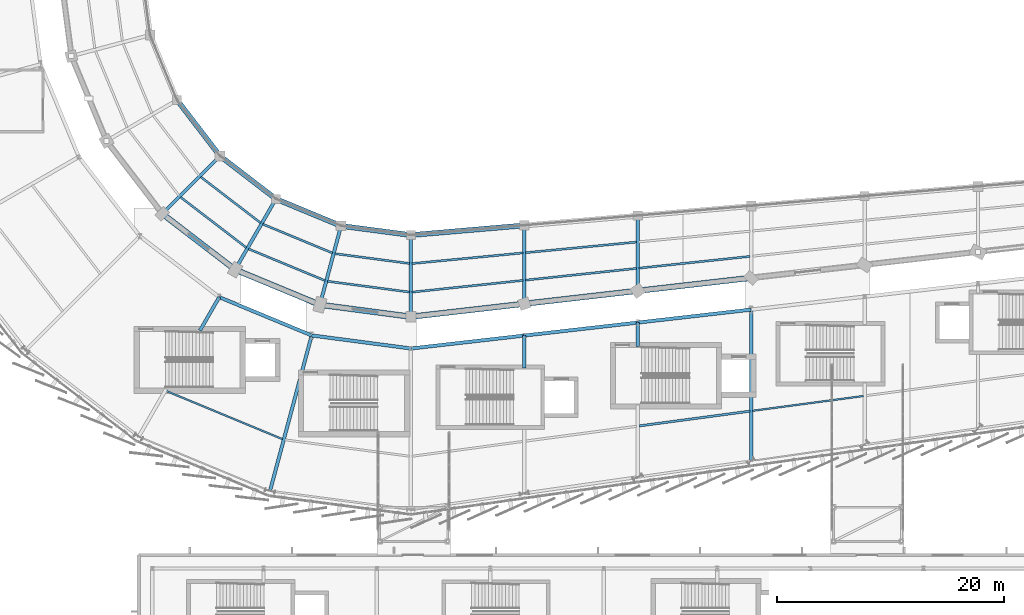
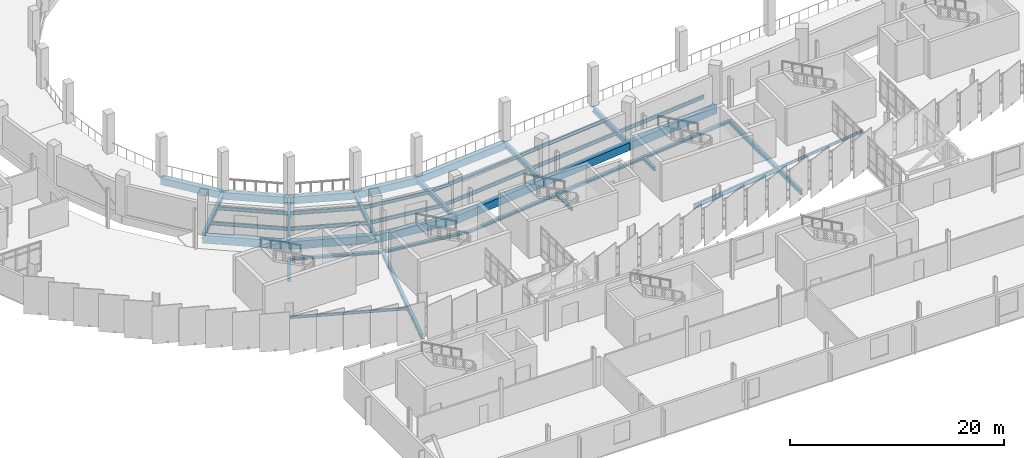
# One storey, part 43 of 125: 41 beams.
"""IFC4 building model written with IfcOpenShell, lengths in metres."""

import ifcopenshell
import ifcopenshell.guid

model = None  # the IFC model being written
_history = None  # IfcOwnerHistory: only IFC2X3 demands one
_inside = {}  # id of a spatial element -> (the spatial element, [elements in it])
_under = {}  # id of a project, library or spatial element -> (it, [spatial elements below it])
_declared = {}  # id of a project -> (the project, [libraries it declares])
_typed = {}  # id of a type object -> (the type object, [elements of that type])
_made_of = {}  # id of a material, layer set ... -> (it, [elements and type objects made of it])


def new_model(schema):
    """Start an empty IFC model of exactly this schema.

    Asked for "IFC4X3", IfcOpenShell would pick the latest addendum, in which some entities
    have other attributes; the version numbers below select the first issue.
    IFC2X3 requires an IfcOwnerHistory on every rooted entity: one is made here for all.
    """
    global model, _history
    if schema == "IFC4X3":
        model = ifcopenshell.file(schema_version=(4, 3, 0, 0))
    else:
        model = ifcopenshell.file(schema=schema)
    _inside.clear()
    _under.clear()
    _declared.clear()
    _typed.clear()
    _made_of.clear()
    _history = None
    if model.schema == "IFC2X3":
        org = make("IfcOrganization", Name="unknown")
        user = make(
            "IfcPersonAndOrganization",
            ThePerson=make("IfcPerson", FamilyName="unknown"),
            TheOrganization=org,
        )
        app = make(
            "IfcApplication",
            ApplicationDeveloper=org,
            Version="unknown",
            ApplicationFullName="unknown",
            ApplicationIdentifier="unknown",
        )
        _history = make(
            "IfcOwnerHistory",
            OwningUser=user,
            OwningApplication=app,
            ChangeAction="ADDED",
            CreationDate=0,
        )
    return model


def make(cls, **values):
    """One entity of the class cls with the attributes given. An attribute that is None is left unset."""
    return model.create_entity(
        cls, **{name: value for name, value in values.items() if value is not None}
    )


def rooted(cls, **values):
    """An entity with a GlobalId (a new one), such as an element, a storey or a relation."""
    return make(cls, GlobalId=ifcopenshell.guid.new(), OwnerHistory=_history, **values)


def si_unit(unit_type, name, prefix=None):
    """IfcSIUnit, for example si_unit("LENGTHUNIT", "METRE", prefix="MILLI")."""
    return make("IfcSIUnit", UnitType=unit_type, Prefix=prefix, Name=name)


def assignment(units):
    """IfcUnitAssignment: the units of a project."""
    return None if units is None else make("IfcUnitAssignment", Units=units)


def point(xyz):
    """IfcCartesianPoint."""
    return None if xyz is None else make("IfcCartesianPoint", Coordinates=xyz)


def direction(xyz):
    """IfcDirection."""
    return None if xyz is None else make("IfcDirection", DirectionRatios=xyz)


def frame(location, z_axis=None, x_axis=None):
    """IfcAxis2Placement3D, a coordinate frame: its origin and axes. An axis left out is left unset."""
    return make(
        "IfcAxis2Placement3D",
        Location=point(location),
        Axis=direction(z_axis),
        RefDirection=direction(x_axis),
    )


def frame_2d(location, x_axis=None):
    """IfcAxis2Placement2D, a coordinate frame in the plane: its origin and x axis."""
    return make(
        "IfcAxis2Placement2D", Location=point(location), RefDirection=direction(x_axis)
    )


def origin():
    """The frame at (0, 0, 0) with its axes left unset."""
    return frame((0.0, 0.0, 0.0))


def origin_2d():
    """The frame at (0, 0) in the plane with its x axis left unset."""
    return frame_2d((0.0, 0.0))


def place(relative_to, where):
    """IfcLocalPlacement: puts the frame where relative to a parent placement (None: the world)."""
    return make(
        "IfcLocalPlacement", PlacementRelTo=relative_to, RelativePlacement=where
    )


def context(
    kind, dimensions, precision=None, world=None, true_north=None, identifier=None
):
    """IfcGeometricRepresentationContext, for example the 3D "Model" context."""
    return make(
        "IfcGeometricRepresentationContext",
        ContextIdentifier=identifier,
        ContextType=kind,
        CoordinateSpaceDimension=dimensions,
        Precision=precision,
        WorldCoordinateSystem=world,
        TrueNorth=true_north,
    )


def subcontext(parent, identifier, kind, view, scale=None):
    """IfcGeometricRepresentationSubContext, for example "Body" below "Model"."""
    return make(
        "IfcGeometricRepresentationSubContext",
        ContextIdentifier=identifier,
        ContextType=kind,
        ParentContext=parent,
        TargetScale=scale,
        TargetView=view,
    )


def project(units=None, contexts=None):
    """IfcProject with its units and contexts."""
    return rooted(
        "IfcProject",
        Name="project",
        RepresentationContexts=contexts,
        UnitsInContext=assignment(units),
    )


def spatial(cls, under=None, at=None, **own):
    """A site, building, storey or space (cls), placed at a placement, below another one or the project."""
    s = rooted(cls, ObjectPlacement=at, **own)
    if under is not None:
        _under.setdefault(under.id(), (under, []))[1].append(s)
    return s


def profile(cls, at=None, kind="AREA", **sizes):
    """A parametric profile (cls). Its sizes go by their IFC names, for example OverallWidth=200.0."""
    return make(cls, ProfileType=kind, Position=at, **sizes)


def rectangle(**sizes):
    """IfcRectangleProfileDef."""
    return profile("IfcRectangleProfileDef", **sizes)


def i_section(**sizes):
    """IfcIShapeProfileDef."""
    return profile("IfcIShapeProfileDef", **sizes)


def extrude(swept, where, along, depth):
    """IfcExtrudedAreaSolid: the profile swept, set in the frame where, extruded along a direction by depth."""
    return make(
        "IfcExtrudedAreaSolid",
        SweptArea=swept,
        Position=where,
        ExtrudedDirection=direction(along),
        Depth=depth,
    )


def shape(context_of_items, identifier, shape_type, items):
    """IfcShapeRepresentation: the items that make up one representation, for example the "Body"."""
    return make(
        "IfcShapeRepresentation",
        ContextOfItems=context_of_items,
        RepresentationIdentifier=identifier,
        RepresentationType=shape_type,
        Items=items,
    )


def material(Name=None, Category=None):
    """IfcMaterial."""
    return make("IfcMaterial", Name=Name, Category=Category)


def material_profile(
    of_material, cross_section, Name=None, Category=None, Priority=None
):
    """IfcMaterialProfile: a cross section and its material."""
    return make(
        "IfcMaterialProfile",
        Name=Name,
        Material=of_material,
        Profile=cross_section,
        Priority=Priority,
        Category=Category,
    )


def profile_set(profiles, Name=None, composite=None):
    """IfcMaterialProfileSet."""
    return make(
        "IfcMaterialProfileSet",
        Name=Name,
        MaterialProfiles=profiles,
        CompositeProfile=composite,
    )


def made_of(thing, what):
    """Note that an element or type object is made of a material, layer set ...; save() writes the relation."""
    if what is not None:
        _made_of.setdefault(what.id(), (what, []))[1].append(thing)
    return thing


def type_object(cls, material=None, **own):
    """A type object (cls), such as IfcWallType, which elements share."""
    return made_of(rooted(cls, **own), material)


def element(
    cls,
    number,
    at=None,
    inside=None,
    cuts=None,
    type_object=None,
    material=None,
    context=None,
    identifier="Body",
    shape_type=None,
    held_by="IfcProductDefinitionShape",
    body=None,
    shapes=None,
    **own,
):
    """One element of the class cls, such as IfcWall. Its Tag is "e" and its number.

    at: its placement. inside: the storey or other place that contains it. cuts: it is an
    opening in that element (IfcRelVoidsElement). A single representation is given by context,
    identifier, shape_type and body (its items); several are given by shapes. held_by: the class
    of the entity that holds the representations. save() writes the other relations.
    """
    e = rooted(cls, Tag="e%d" % number, ObjectPlacement=at, **own)
    if body is not None:
        shapes = [shape(context, identifier, shape_type, body)]
    if shapes is not None:
        e.Representation = make(held_by, Representations=shapes)
    if inside is not None:
        _inside.setdefault(inside.id(), (inside, []))[1].append(e)
    if cuts is not None:
        rooted(
            "IfcRelVoidsElement", RelatingBuildingElement=cuts, RelatedOpeningElement=e
        )
    if type_object is not None:
        _typed.setdefault(type_object.id(), (type_object, []))[1].append(e)
    return made_of(e, material)


def aggregate(whole, parts):
    """IfcRelAggregates: a whole, such as a stair, and the parts it consists of."""
    return rooted("IfcRelAggregates", RelatingObject=whole, RelatedObjects=parts)


def save(model, path):
    """Write the relations noted so far, then the file.

    IfcRelAggregates (storeys below a building ...), IfcRelContainedInSpatialStructure (elements
    in a storey), IfcRelDefinesByType, IfcRelAssociatesMaterial and IfcRelDeclares: one each for
    every whole, place, type object, material and project.
    """
    for whole, parts in _under.values():
        aggregate(whole, parts)
    for where, things in _inside.values():
        rooted(
            "IfcRelContainedInSpatialStructure",
            RelatedElements=things,
            RelatingStructure=where,
        )
    for kind, things in _typed.values():
        rooted("IfcRelDefinesByType", RelatedObjects=things, RelatingType=kind)
    for what, things in _made_of.values():
        rooted("IfcRelAssociatesMaterial", RelatedObjects=things, RelatingMaterial=what)
    for by, libraries in _declared.values():
        rooted("IfcRelDeclares", RelatingContext=by, RelatedDefinitions=libraries)
    model.write(path)


model = new_model("IFC4")

# Units and contexts
model_context = context("Model", 3, precision=1e-05, world=origin(), true_north=direction((0.0, 1.0)))
body_context = subcontext(model_context, "Body", "Model", "MODEL_VIEW")
ifc_project = project(units=[si_unit("LENGTHUNIT", "METRE"), si_unit("AREAUNIT", "SQUARE_METRE"), si_unit("VOLUMEUNIT", "CUBIC_METRE"), si_unit("PLANEANGLEUNIT", "RADIAN"), si_unit("MASSUNIT", "GRAM", prefix="KILO")], contexts=[model_context])

# Site, building, storey
site_placement = place(None, origin())
site = spatial("IfcSite", under=ifc_project, at=site_placement, CompositionType="ELEMENT")
building_placement = place(site_placement, origin())
building = spatial("IfcBuilding", under=site, at=building_placement, Name="Sohan Crest Arena", CompositionType="ELEMENT")
storey_placement = place(building_placement, frame((0.0, 0.0, 9.0)))
storey = spatial("IfcBuildingStorey", under=building, at=storey_placement, Name="L02", CompositionType="ELEMENT", Elevation=9.0)

# Beams
ifc_material_1 = material(Name="Steel S355", Category="steel")
ifc_material_profile_1 = material_profile(ifc_material_1, i_section(OverallWidth=0.14990234375, OverallDepth=0.300048828125, WebThickness=0.007080078125, FlangeThickness=0.0107421875, at=origin_2d()), Name="IPE 300")
ifc_profile_set_1 = profile_set([ifc_material_profile_1], Name="Steel S355")
beam_type_1 = type_object("IfcBeamType", Name="STR-BM-B01", PredefinedType="JOIST", material=ifc_profile_set_1)
beam_1_placement = place(storey_placement, frame((76.445068359375, 40.447021484375, -0.39990234375), z_axis=(0.923874316241, -0.382696025312, 0.0), x_axis=(0.382696025312, 0.923874316241, 0.0)))
element("IfcBeam", 1, at=beam_1_placement, inside=storey, type_object=beam_type_1, Name="Structural beam J-L02-1288", PredefinedType="JOIST", context=body_context, shape_type="SweptSolid", body=[
    extrude(i_section(OverallWidth=0.14990234375, OverallDepth=0.300048828125, WebThickness=0.007080078125, FlangeThickness=0.0107421875, at=origin_2d()), origin(), (0.0, 0.0, 1.0), 11.0869140625),
])
beam_2_placement = place(storey_placement, frame((128.10888671875, 38.7041015625, -0.39990234375), z_axis=(0.991232437337, 0.132129690721, 0.0), x_axis=(-0.132129690721, 0.991232437337, 0.0)))
element("IfcBeam", 2, at=beam_2_placement, inside=storey, type_object=beam_type_1, Name="Structural beam J-L02-1310", PredefinedType="JOIST", context=body_context, shape_type="SweptSolid", body=[
    extrude(i_section(OverallWidth=0.14990234375, OverallDepth=0.300048828125, WebThickness=0.007080078125, FlangeThickness=0.0107421875, at=origin_2d()), origin(), (0.0, 0.0, 1.0), 9.86865234375),
])
ifc_material_profile_2 = material_profile(ifc_material_1, i_section(OverallWidth=0.179931640625, OverallDepth=0.39990234375, WebThickness=0.008544921875, FlangeThickness=0.013427734375, at=origin_2d()), Name="IPE 400")
ifc_profile_set_2 = profile_set([ifc_material_profile_2], Name="Steel S355")
beam_type_2 = type_object("IfcBeamType", Name="STR-BM-B03", PredefinedType="JOIST", material=ifc_profile_set_2)
beam_3_placement = place(storey_placement, frame((79.47607421875, 59.322021484375, -0.449951171875), z_axis=(0.793353438114, -0.608761301523, 0.0), x_axis=(0.608761301523, 0.793353438114, 0.0)))
element("IfcBeam", 3, at=beam_3_placement, inside=storey, type_object=beam_type_2, Name="Structural beam J-L02-0270", PredefinedType="JOIST", context=body_context, shape_type="SweptSolid", body=[
    extrude(i_section(OverallWidth=0.179931640625, OverallDepth=0.39990234375, WebThickness=0.008544921875, FlangeThickness=0.013427734375, at=origin_2d()), origin(), (0.0, 0.0, 1.0), 6.6513671875),
])
beam_4_placement = place(storey_placement, frame((77.694091796875, 57.5400390625, -0.449951171875), z_axis=(0.793394486436, -0.608707802556, 0.0), x_axis=(0.608707802556, 0.793394486436, 0.0)))
element("IfcBeam", 4, at=beam_4_placement, inside=storey, type_object=beam_type_2, Name="Structural beam J-L02-0271", PredefinedType="JOIST", context=body_context, shape_type="SweptSolid", body=[
    extrude(i_section(OverallWidth=0.179931640625, OverallDepth=0.39990234375, WebThickness=0.008544921875, FlangeThickness=0.013427734375, at=origin_2d()), origin(), (0.0, 0.0, 1.0), 7.308837890625),
])
beam_5_placement = place(storey_placement, frame((84.94189453125, 55.1640625, -0.449951171875), z_axis=(0.923867831396, -0.382711680136, 0.0), x_axis=(0.382711680136, 0.923867831396, 0.0)))
element("IfcBeam", 5, at=beam_5_placement, inside=storey, type_object=beam_type_2, Name="Structural beam J-L02-0292", PredefinedType="JOIST", context=body_context, shape_type="SweptSolid", body=[
    extrude(i_section(OverallWidth=0.179931640625, OverallDepth=0.39990234375, WebThickness=0.008544921875, FlangeThickness=0.013427734375, at=origin_2d()), origin(), (0.0, 0.0, 1.0), 6.650390625),
])
beam_6_placement = place(storey_placement, frame((83.681884765625, 52.98193359375, -0.449951171875), z_axis=(0.923831158032, -0.382800197818, 0.0), x_axis=(0.382800197818, 0.923831158032, 0.0)))
element("IfcBeam", 6, at=beam_6_placement, inside=storey, type_object=beam_type_2, Name="Structural beam J-L02-0293", PredefinedType="JOIST", context=body_context, shape_type="SweptSolid", body=[
    extrude(i_section(OverallWidth=0.179931640625, OverallDepth=0.39990234375, WebThickness=0.008544921875, FlangeThickness=0.013427734375, at=origin_2d()), origin(), (0.0, 0.0, 1.0), 7.308837890625),
])
beam_7_placement = place(storey_placement, frame((91.297119140625, 52.56298828125, -0.449951171875), z_axis=(0.99142966471, -0.130641570465, 0.0), x_axis=(0.130641570465, 0.99142966471, 0.0)))
element("IfcBeam", 7, at=beam_7_placement, inside=storey, type_object=beam_type_2, Name="Structural beam J-L02-0314", PredefinedType="JOIST", context=body_context, shape_type="SweptSolid", body=[
    extrude(i_section(OverallWidth=0.179931640625, OverallDepth=0.39990234375, WebThickness=0.008544921875, FlangeThickness=0.013427734375, at=origin_2d()), origin(), (0.0, 0.0, 1.0), 6.65087890625),
])
beam_8_placement = place(storey_placement, frame((90.64501953125, 50.1279296875, -0.449951171875), z_axis=(0.991446789819, -0.13051154339, 0.0), x_axis=(0.13051154339, 0.991446789819, 0.0)))
element("IfcBeam", 8, at=beam_8_placement, inside=storey, type_object=beam_type_2, Name="Structural beam J-L02-0315", PredefinedType="JOIST", context=body_context, shape_type="SweptSolid", body=[
    extrude(i_section(OverallWidth=0.179931640625, OverallDepth=0.39990234375, WebThickness=0.008544921875, FlangeThickness=0.013427734375, at=origin_2d()), origin(), (0.0, 0.0, 1.0), 7.30859375),
])
beam_9_placement = place(storey_placement, frame((98.10888671875, 51.68994140625, -0.449951171875), z_axis=(0.995443739336, 0.095350730547, 0.0), x_axis=(-0.095350730547, 0.995443739336, 0.0)))
element("IfcBeam", 9, at=beam_9_placement, inside=storey, type_object=beam_type_2, Name="Structural beam J-L02-0336", PredefinedType="JOIST", context=body_context, shape_type="SweptSolid", body=[
    extrude(i_section(OverallWidth=0.179931640625, OverallDepth=0.39990234375, WebThickness=0.008544921875, FlangeThickness=0.013427734375, at=origin_2d()), origin(), (0.0, 0.0, 1.0), 9.826904296875),
])
beam_10_placement = place(storey_placement, frame((98.10888671875, 49.172119140625, -0.449951171875), z_axis=(0.994470991784, 0.105011649352, 0.0), x_axis=(-0.105011649352, 0.994470991784, 0.0)))
element("IfcBeam", 10, at=beam_10_placement, inside=storey, type_object=beam_type_2, Name="Structural beam J-L02-0337", PredefinedType="JOIST", context=body_context, shape_type="SweptSolid", body=[
    extrude(i_section(OverallWidth=0.179931640625, OverallDepth=0.39990234375, WebThickness=0.008544921875, FlangeThickness=0.013427734375, at=origin_2d()), origin(), (0.0, 0.0, 1.0), 9.836669921875),
])
beam_11_placement = place(storey_placement, frame((108.10888671875, 52.64697265625, -0.449951171875), z_axis=(0.995443739336, 0.095350730547, 0.0), x_axis=(-0.095350730547, 0.995443739336, 0.0)))
element("IfcBeam", 11, at=beam_11_placement, inside=storey, type_object=beam_type_2, Name="Structural beam J-L02-0358", PredefinedType="JOIST", context=body_context, shape_type="SweptSolid", body=[
    extrude(i_section(OverallWidth=0.179931640625, OverallDepth=0.39990234375, WebThickness=0.008544921875, FlangeThickness=0.013427734375, at=origin_2d()), origin(), (0.0, 0.0, 1.0), 9.826904296875),
])
for number, where, z_axis, x_axis, name in (
    (12, (108.10888671875, 50.22900390625, -0.449951171875), (0.994470991784, 0.105011649352, 0.0), (-0.105011649352, 0.994470991784, 0.0), "Structural beam J-L02-0359"),
    (13, (118.10888671875, 51.285888671875, -0.449951171875), (0.994458024707, 0.105134376377, 0.0), (-0.105134376377, 0.994458024707, 0.0), "Structural beam J-L02-0381"),
):
    element("IfcBeam", number, at=place(storey_placement, frame(where, z_axis=z_axis, x_axis=x_axis)), inside=storey, type_object=beam_type_2, Name=name, PredefinedType="JOIST", context=body_context, shape_type="SweptSolid", body=[
        extrude(i_section(OverallWidth=0.179931640625, OverallDepth=0.39990234375, WebThickness=0.008544921875, FlangeThickness=0.013427734375, at=origin_2d()), origin(), (0.0, 0.0, 1.0), 9.836669921875),
    ])
ifc_material_profile_3 = material_profile(ifc_material_1, i_section(OverallWidth=0.199951171875, OverallDepth=0.5, WebThickness=0.01025390625, FlangeThickness=0.01611328125, at=origin_2d()), Name="IPE 500")
ifc_profile_set_3 = profile_set([ifc_material_profile_3], Name="Steel S355")
beam_type_3 = type_object("IfcBeamType", Name="STR-BM-B05", PredefinedType="JOIST", material=ifc_profile_set_3)
beam_12_placement = place(storey_placement, frame((118.10888671875, 37.3701171875, -0.5), z_axis=(0.991232437337, 0.132129690721, 0.0), x_axis=(-0.132129690721, 0.991232437337, 0.0)))
element("IfcBeam", 14, at=beam_12_placement, inside=storey, type_object=beam_type_3, Name="Structural beam J-L02-1306", PredefinedType="JOIST", context=body_context, shape_type="SweptSolid", body=[
    extrude(i_section(OverallWidth=0.199951171875, OverallDepth=0.5, WebThickness=0.01025390625, FlangeThickness=0.01611328125, at=origin_2d()), origin(), (0.0, 0.0, 1.0), 9.86865234375),
])
ifc_material_profile_4 = material_profile(ifc_material_1, i_section(OverallWidth=0.300048828125, OverallDepth=0.590087890625, WebThickness=0.012939453125, FlangeThickness=0.02490234375, at=origin_2d()), Name="HEA 600")
ifc_profile_set_4 = profile_set([ifc_material_profile_4], Name="Steel S355")
beam_type_4 = type_object("IfcBeamType", Name="STR-BM-B11", PredefinedType="BEAM", material=ifc_profile_set_4)
beam_13_placement = place(storey_placement, frame((81.1708984375, 61.1708984375, -0.544921875), z_axis=(-0.707106781187, -0.707106781187, 0.0), x_axis=(0.707106781187, -0.707106781187, 0.0)))
element("IfcBeam", 15, at=beam_13_placement, inside=storey, type_object=beam_type_4, Name="Structural beam G-L02-0269", PredefinedType="BEAM", context=body_context, shape_type="SweptSolid", body=[
    extrude(i_section(OverallWidth=0.300048828125, OverallDepth=0.590087890625, WebThickness=0.012939453125, FlangeThickness=0.02490234375, at=origin_2d()), origin(), (0.0, 0.0, 1.0), 7.199462890625),
])
beam_14_placement = place(storey_placement, frame((86.10009765625, 57.388916015625, -0.544921875), z_axis=(-0.499982693035, -0.866035395735, 0.0), x_axis=(0.866035395735, -0.499982693035, 0.0)))
element("IfcBeam", 16, at=beam_14_placement, inside=storey, type_object=beam_type_4, Name="Structural beam G-L02-0291", PredefinedType="BEAM", context=body_context, shape_type="SweptSolid", body=[
    extrude(i_section(OverallWidth=0.300048828125, OverallDepth=0.590087890625, WebThickness=0.012939453125, FlangeThickness=0.02490234375, at=origin_2d()), origin(), (0.0, 0.0, 1.0), 7.200439453125),
])
beam_15_placement = place(storey_placement, frame((91.840087890625, 55.010986328125, -0.544921875), z_axis=(-0.258745124417, -0.965945630245, 0.0), x_axis=(0.965945630245, -0.258745124417, 0.0)))
element("IfcBeam", 17, at=beam_15_placement, inside=storey, type_object=beam_type_4, Name="Structural beam G-L02-0313", PredefinedType="BEAM", context=body_context, shape_type="SweptSolid", body=[
    extrude(i_section(OverallWidth=0.300048828125, OverallDepth=0.590087890625, WebThickness=0.012939453125, FlangeThickness=0.02490234375, at=origin_2d()), origin(), (0.0, 0.0, 1.0), 7.2001953125),
])
beam_16_placement = place(storey_placement, frame((98.0, 54.199951171875, -0.544921875), z_axis=(0.0, -1.0, 0.0), x_axis=(1.0, 0.0, 0.0)))
element("IfcBeam", 18, at=beam_16_placement, inside=storey, type_object=beam_type_4, Name="Structural beam G-L02-0335", PredefinedType="BEAM", context=body_context, shape_type="SweptSolid", body=[
    extrude(i_section(OverallWidth=0.300048828125, OverallDepth=0.590087890625, WebThickness=0.012939453125, FlangeThickness=0.02490234375, at=origin_2d()), origin(), (0.0, 0.0, 1.0), 7.199951171875),
])
beam_17_placement = place(storey_placement, frame((108.0, 55.056884765625, -0.544921875), z_axis=(0.0, -1.0, 0.0), x_axis=(1.0, 0.0, 0.0)))
element("IfcBeam", 19, at=beam_17_placement, inside=storey, type_object=beam_type_4, Name="Structural beam G-L02-0357", PredefinedType="BEAM", context=body_context, shape_type="SweptSolid", body=[
    extrude(i_section(OverallWidth=0.300048828125, OverallDepth=0.590087890625, WebThickness=0.012939453125, FlangeThickness=0.02490234375, at=origin_2d()), origin(), (0.0, 0.0, 1.0), 6.913818359375),
])
beam_18_placement = place(storey_placement, frame((118.0, 55.9140625, -0.544921875), z_axis=(0.0, -1.0, 0.0), x_axis=(1.0, 0.0, 0.0)))
element("IfcBeam", 20, at=beam_18_placement, inside=storey, type_object=beam_type_4, Name="Structural beam G-L02-0379", PredefinedType="BEAM", context=body_context, shape_type="SweptSolid", body=[
    extrude(i_section(OverallWidth=0.300048828125, OverallDepth=0.590087890625, WebThickness=0.012939453125, FlangeThickness=0.02490234375, at=origin_2d()), origin(), (0.0, 0.0, 1.0), 6.628173828125),
])
ifc_material_profile_5 = material_profile(ifc_material_1, i_section(OverallWidth=0.300048828125, OverallDepth=0.300048828125, WebThickness=0.010986328125, FlangeThickness=0.01904296875, at=origin_2d()), Name="HEB 300")
ifc_profile_set_5 = profile_set([ifc_material_profile_5], Name="Steel S355")
beam_type_5 = type_object("IfcBeamType", Name="STR-BM-B12", PredefinedType="BEAM", material=ifc_profile_set_5)
beam_19_placement = place(storey_placement, frame((81.10009765625, 48.72802734375, -0.39990234375), z_axis=(0.923904876385, -0.38262224111, 0.0), x_axis=(0.38262224111, 0.923904876385, 0.0)))
element("IfcBeam", 21, at=beam_19_placement, inside=storey, type_object=beam_type_5, Name="Structural beam G-L02-1286", PredefinedType="BEAM", context=body_context, shape_type="SweptSolid", body=[
    extrude(i_section(OverallWidth=0.300048828125, OverallDepth=0.300048828125, WebThickness=0.010986328125, FlangeThickness=0.01904296875, at=origin_2d()), origin(), (0.0, 0.0, 1.0), 8.8232421875),
])
beam_20_placement = place(storey_placement, frame((89.251953125, 45.35205078125, -0.39990234375), z_axis=(0.991439032147, -0.130570461953, 0.0), x_axis=(0.130570461953, 0.991439032147, 0.0)))
element("IfcBeam", 22, at=beam_20_placement, inside=storey, type_object=beam_type_5, Name="Structural beam G-L02-1290", PredefinedType="BEAM", context=body_context, shape_type="SweptSolid", body=[
    extrude(i_section(OverallWidth=0.300048828125, OverallDepth=0.300048828125, WebThickness=0.010986328125, FlangeThickness=0.01904296875, at=origin_2d()), origin(), (0.0, 0.0, 1.0), 8.823486328125),
])
beam_21_placement = place(storey_placement, frame((98.0, 44.199951171875, -0.39990234375), z_axis=(0.99353032697, 0.113567114035, 0.0), x_axis=(-0.113567114035, 0.99353032697, 0.0)))
element("IfcBeam", 23, at=beam_21_placement, inside=storey, type_object=beam_type_5, Name="Structural beam G-L02-1294", PredefinedType="BEAM", context=body_context, shape_type="SweptSolid", body=[
    extrude(i_section(OverallWidth=0.300048828125, OverallDepth=0.300048828125, WebThickness=0.010986328125, FlangeThickness=0.01904296875, at=origin_2d()), origin(), (0.0, 0.0, 1.0), 10.065185546875),
])
beam_22_placement = place(storey_placement, frame((108.0, 45.343017578125, -0.39990234375), z_axis=(0.0, -1.0, 0.0), x_axis=(1.0, 0.0, 0.0)))
element("IfcBeam", 24, at=beam_22_placement, inside=storey, type_object=beam_type_5, Name="Structural beam G-L02-1297", PredefinedType="BEAM", context=body_context, shape_type="SweptSolid", body=[
    extrude(i_section(OverallWidth=0.300048828125, OverallDepth=0.300048828125, WebThickness=0.010986328125, FlangeThickness=0.01904296875, at=origin_2d()), origin(), (0.0, 0.0, 1.0), 2.863037109375),
])
for number, where, z_axis, x_axis, name in (
    (25, (108.0, 45.343017578125, -0.39990234375), (0.99353032697, 0.113567114035, 0.0), (-0.113567114035, 0.99353032697, 0.0), "Structural beam G-L02-1299"),
    (26, (118.0, 46.486083984375, -0.39990234375), (0.993533063564, 0.113543170668, 0.0), (-0.113543170668, 0.993533063564, 0.0), "Structural beam G-L02-1304"),
):
    element("IfcBeam", number, at=place(storey_placement, frame(where, z_axis=z_axis, x_axis=x_axis)), inside=storey, type_object=beam_type_5, Name=name, PredefinedType="BEAM", context=body_context, shape_type="SweptSolid", body=[
        extrude(i_section(OverallWidth=0.300048828125, OverallDepth=0.300048828125, WebThickness=0.010986328125, FlangeThickness=0.01904296875, at=origin_2d()), origin(), (0.0, 0.0, 1.0), 10.065185546875),
    ])
ifc_material_profile_6 = material_profile(ifc_material_1, i_section(OverallWidth=0.300048828125, OverallDepth=0.39990234375, WebThickness=0.013427734375, FlangeThickness=0.02392578125, at=origin_2d()), Name="HEB 400")
ifc_profile_set_6 = profile_set([ifc_material_profile_6], Name="Steel S355")
beam_type_6 = type_object("IfcBeamType", Name="STR-BM-B13", PredefinedType="BEAM", material=ifc_profile_set_6)
beam_23_placement = place(storey_placement, frame((81.10009765625, 48.72802734375, -0.449951171875), z_axis=(-0.500026652407, -0.866010015463, 0.0), x_axis=(0.866010015463, -0.500026652407, 0.0)))
element("IfcBeam", 27, at=beam_23_placement, inside=storey, type_object=beam_type_6, Name="Structural beam G-L02-1284", PredefinedType="BEAM", context=body_context, shape_type="SweptSolid", body=[
    extrude(i_section(OverallWidth=0.300048828125, OverallDepth=0.39990234375, WebThickness=0.013427734375, FlangeThickness=0.02392578125, at=origin_2d()), origin(), (0.0, 0.0, 1.0), 3.404052734375),
])
beam_24_placement = place(storey_placement, frame((118.0, 46.486083984375, -0.449951171875), z_axis=(0.0, -1.0, 0.0), x_axis=(1.0, 0.0, 0.0)))
element("IfcBeam", 28, at=beam_24_placement, inside=storey, type_object=beam_type_6, Name="Structural beam G-L02-1302", PredefinedType="BEAM", context=body_context, shape_type="SweptSolid", body=[
    extrude(i_section(OverallWidth=0.300048828125, OverallDepth=0.39990234375, WebThickness=0.013427734375, FlangeThickness=0.02392578125, at=origin_2d()), origin(), (0.0, 0.0, 1.0), 2.106201171875),
])
ifc_material_profile_7 = material_profile(ifc_material_1, i_section(OverallWidth=0.300048828125, OverallDepth=0.5, WebThickness=0.014404296875, FlangeThickness=0.028076171875, at=origin_2d()), Name="HEB 500")
ifc_profile_set_7 = profile_set([ifc_material_profile_7], Name="Steel S355")
beam_type_7 = type_object("IfcBeamType", Name="STR-BM-B14", PredefinedType="BEAM", material=ifc_profile_set_7)
beam_25_placement = place(storey_placement, frame((89.251953125, 45.35205078125, -0.5), z_axis=(-0.258808560729, -0.965928635508, 0.0), x_axis=(0.965928635508, -0.258808560729, 0.0)))
element("IfcBeam", 29, at=beam_25_placement, inside=storey, type_object=beam_type_7, Name="Structural beam G-L02-1289", PredefinedType="BEAM", context=body_context, shape_type="SweptSolid", body=[
    extrude(i_section(OverallWidth=0.300048828125, OverallDepth=0.5, WebThickness=0.014404296875, FlangeThickness=0.028076171875, at=origin_2d()), origin(), (0.0, 0.0, 1.0), 14.199951171875),
])
beam_26_placement = place(storey_placement, frame((128.0, 47.62890625, -0.5), z_axis=(0.0, -1.0, 0.0), x_axis=(1.0, 0.0, 0.0)))
element("IfcBeam", 30, at=beam_26_placement, inside=storey, type_object=beam_type_7, Name="Structural beam G-L02-1307", PredefinedType="BEAM", context=body_context, shape_type="SweptSolid", body=[
    extrude(i_section(OverallWidth=0.300048828125, OverallDepth=0.5, WebThickness=0.014404296875, FlangeThickness=0.028076171875, at=origin_2d()), origin(), (0.0, 0.0, 1.0), 13.343017578125),
])
ifc_material_2 = material(Name="Concrete C40/50", Category="concrete")
ifc_material_profile_8 = material_profile(ifc_material_2, rectangle(XDim=0.449951171875, YDim=0.800048828125, at=origin_2d()), Name="RC-BM 450x800")
ifc_profile_set_8 = profile_set([ifc_material_profile_8], Name="Concrete C40/50")
beam_type_8 = type_object("IfcBeamType", Name="STR-BM-TB02", PredefinedType="BEAM", material=ifc_profile_set_8)
for number, where, z_axis, x_axis, name in (
    (31, (77.388916015625, 66.10009765625, -0.64990234375), (0.608728486864, -0.793378616602, 0.0), (0.793378616602, 0.608728486864, 0.0), "Structural beam TB-L02-0245"),
    (32, (81.1708984375, 61.1708984375, -0.64990234375), (0.793378616602, -0.608728486864, 0.0), (0.608728486864, 0.793378616602, 0.0), "Structural beam TB-L02-0267"),
):
    element("IfcBeam", number, at=place(storey_placement, frame(where, z_axis=z_axis, x_axis=x_axis)), inside=storey, type_object=beam_type_8, Name=name, PredefinedType="BEAM", context=body_context, shape_type="SweptSolid", body=[
        extrude(rectangle(XDim=0.449951171875, YDim=0.800048828125, at=origin_2d()), origin(), (0.0, 0.0, 1.0), 6.212890625),
    ])
for number, where, z_axis, x_axis, name in (
    (33, (86.10009765625, 57.388916015625, -0.64990234375), (0.92385973493, -0.382731224457, 0.0), (0.382731224457, 0.92385973493, 0.0), "Structural beam TB-L02-0289"),
    (34, (91.840087890625, 55.010986328125, -0.64990234375), (0.991443458676, -0.130536846329, 0.0), (0.130536846329, 0.991443458676, 0.0), "Structural beam TB-L02-0311"),
):
    element("IfcBeam", number, at=place(storey_placement, frame(where, z_axis=z_axis, x_axis=x_axis)), inside=storey, type_object=beam_type_8, Name=name, PredefinedType="BEAM", context=body_context, shape_type="SweptSolid", body=[
        extrude(rectangle(XDim=0.449951171875, YDim=0.800048828125, at=origin_2d()), origin(), (0.0, 0.0, 1.0), 6.213134765625),
    ])
beam_27_placement = place(storey_placement, frame((98.0, 54.199951171875, -0.64990234375), z_axis=(0.996348422929, 0.085380443469, 0.0), x_axis=(-0.085380443469, 0.996348422929, 0.0)))
element("IfcBeam", 35, at=beam_27_placement, inside=storey, type_object=beam_type_8, Name="Structural beam TB-L02-0333", PredefinedType="BEAM", context=body_context, shape_type="SweptSolid", body=[
    extrude(rectangle(XDim=0.449951171875, YDim=0.800048828125, at=origin_2d()), origin(), (0.0, 0.0, 1.0), 10.03662109375),
])
ifc_material_profile_9 = material_profile(ifc_material_2, rectangle(XDim=0.5, YDim=0.89990234375, at=origin_2d()), Name="RC-BM 500x900")
ifc_profile_set_9 = profile_set([ifc_material_profile_9], Name="Concrete C40/50")
beam_type_9 = type_object("IfcBeamType", Name="STR-BM-TB03", PredefinedType="BEAM", material=ifc_profile_set_9)
beam_28_placement = place(storey_placement, frame((76.080078125, 56.080078125, -0.699951171875), z_axis=(0.793304243257, -0.608825408167, 0.0), x_axis=(0.608825408167, 0.793304243257, 0.0)))
element("IfcBeam", 36, at=beam_28_placement, inside=storey, type_object=beam_type_9, Name="Structural beam TB-L02-0268", PredefinedType="BEAM", context=body_context, shape_type="SweptSolid", body=[
    extrude(rectangle(XDim=0.5, YDim=0.89990234375, at=origin_2d()), origin(), (0.0, 0.0, 1.0), 8.092529296875),
])
beam_29_placement = place(storey_placement, frame((82.5, 51.153076171875, -0.699951171875), z_axis=(0.923876381497, -0.382691039498, 0.0), x_axis=(0.382691039498, 0.923876381497, 0.0)))
element("IfcBeam", 37, at=beam_29_placement, inside=storey, type_object=beam_type_9, Name="Structural beam TB-L02-0290", PredefinedType="BEAM", context=body_context, shape_type="SweptSolid", body=[
    extrude(rectangle(XDim=0.5, YDim=0.89990234375, at=origin_2d()), origin(), (0.0, 0.0, 1.0), 8.093017578125),
])
beam_30_placement = place(storey_placement, frame((89.97705078125, 48.055908203125, -0.699951171875), z_axis=(0.99145018748, -0.130485730048, 0.0), x_axis=(0.130485730048, 0.99145018748, 0.0)))
element("IfcBeam", 38, at=beam_30_placement, inside=storey, type_object=beam_type_9, Name="Structural beam TB-L02-0312", PredefinedType="BEAM", context=body_context, shape_type="SweptSolid", body=[
    extrude(rectangle(XDim=0.5, YDim=0.89990234375, at=origin_2d()), origin(), (0.0, 0.0, 1.0), 8.092041015625),
])
for number, where, z_axis, x_axis, name in (
    (39, (98.0, 47.0, -0.699951171875), (0.99353032697, 0.113567114035, 0.0), (-0.113567114035, 0.99353032697, 0.0), "Structural beam TB-L02-0334"),
    (40, (108.0, 48.14306640625, -0.699951171875), (0.993533063564, 0.113543170668, 0.0), (-0.113543170668, 0.993533063564, 0.0), "Structural beam TB-L02-0356"),
    (41, (118.0, 49.285888671875, -0.699951171875), (0.99353032697, 0.113567114035, 0.0), (-0.113567114035, 0.99353032697, 0.0), "Structural beam TB-L02-0378"),
):
    element("IfcBeam", number, at=place(storey_placement, frame(where, z_axis=z_axis, x_axis=x_axis)), inside=storey, type_object=beam_type_9, Name=name, PredefinedType="BEAM", context=body_context, shape_type="SweptSolid", body=[
        extrude(rectangle(XDim=0.5, YDim=0.89990234375, at=origin_2d()), origin(), (0.0, 0.0, 1.0), 10.065185546875),
    ])

save(model, "model.ifc")
